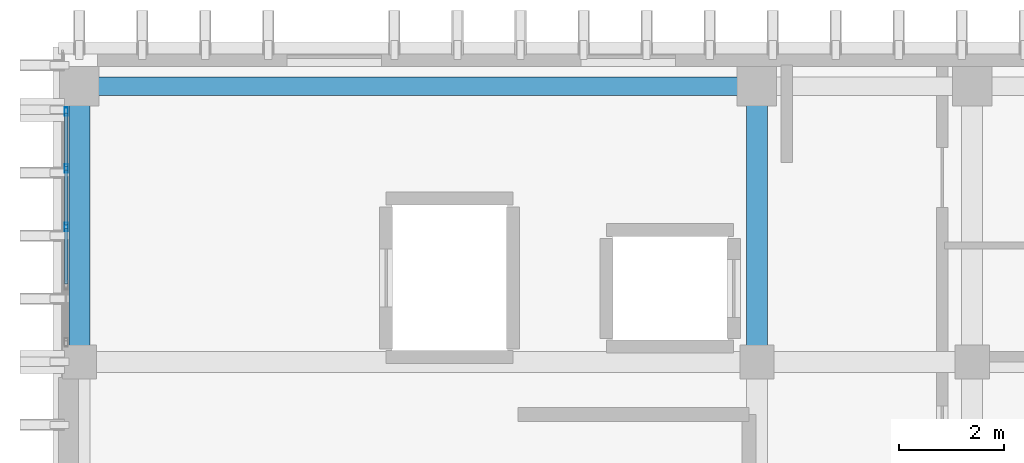
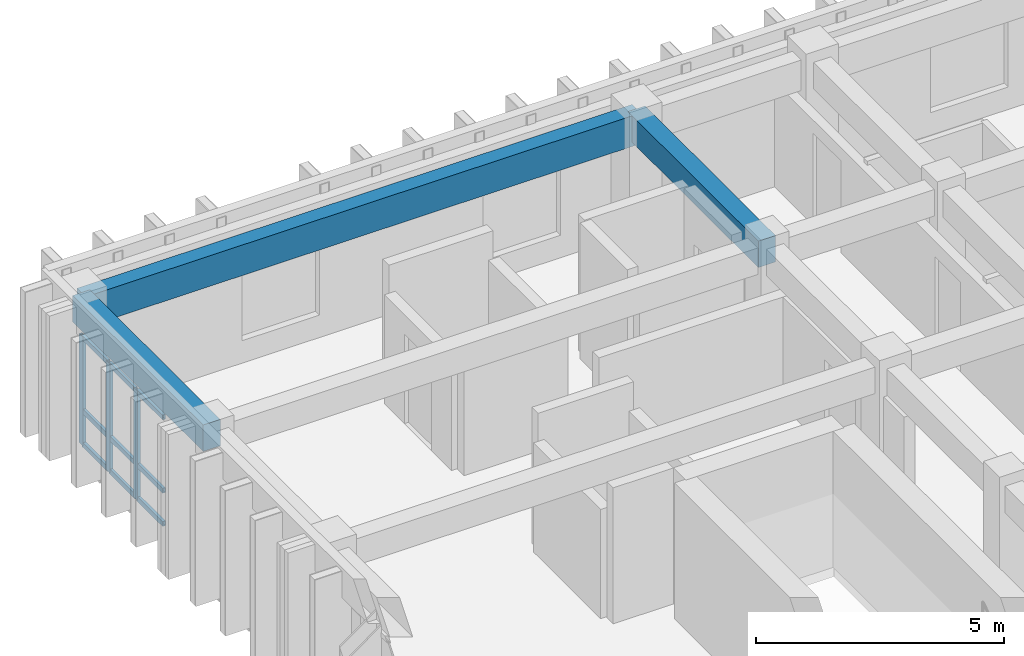
# One storey, part 44 of 64: 12 members, 3 beams, 1 element without a shape of its own.
"""IFC4 building model written with IfcOpenShell, lengths in metres."""

import ifcopenshell
import ifcopenshell.guid

model = None  # the IFC model being written
_history = None  # IfcOwnerHistory: only IFC2X3 demands one
_inside = {}  # id of a spatial element -> (the spatial element, [elements in it])
_under = {}  # id of a project, library or spatial element -> (it, [spatial elements below it])
_declared = {}  # id of a project -> (the project, [libraries it declares])
_typed = {}  # id of a type object -> (the type object, [elements of that type])
_made_of = {}  # id of a material, layer set ... -> (it, [elements and type objects made of it])


def new_model(schema):
    """Start an empty IFC model of exactly this schema.

    Asked for "IFC4X3", IfcOpenShell would pick the latest addendum, in which some entities
    have other attributes; the version numbers below select the first issue.
    IFC2X3 requires an IfcOwnerHistory on every rooted entity: one is made here for all.
    """
    global model, _history
    if schema == "IFC4X3":
        model = ifcopenshell.file(schema_version=(4, 3, 0, 0))
    else:
        model = ifcopenshell.file(schema=schema)
    _inside.clear()
    _under.clear()
    _declared.clear()
    _typed.clear()
    _made_of.clear()
    _history = None
    if model.schema == "IFC2X3":
        org = make("IfcOrganization", Name="unknown")
        user = make(
            "IfcPersonAndOrganization",
            ThePerson=make("IfcPerson", FamilyName="unknown"),
            TheOrganization=org,
        )
        app = make(
            "IfcApplication",
            ApplicationDeveloper=org,
            Version="unknown",
            ApplicationFullName="unknown",
            ApplicationIdentifier="unknown",
        )
        _history = make(
            "IfcOwnerHistory",
            OwningUser=user,
            OwningApplication=app,
            ChangeAction="ADDED",
            CreationDate=0,
        )
    return model


def make(cls, **values):
    """One entity of the class cls with the attributes given. An attribute that is None is left unset."""
    return model.create_entity(
        cls, **{name: value for name, value in values.items() if value is not None}
    )


def rooted(cls, **values):
    """An entity with a GlobalId (a new one), such as an element, a storey or a relation."""
    return make(cls, GlobalId=ifcopenshell.guid.new(), OwnerHistory=_history, **values)


def si_unit(unit_type, name, prefix=None):
    """IfcSIUnit, for example si_unit("LENGTHUNIT", "METRE", prefix="MILLI")."""
    return make("IfcSIUnit", UnitType=unit_type, Prefix=prefix, Name=name)


def assignment(units):
    """IfcUnitAssignment: the units of a project."""
    return None if units is None else make("IfcUnitAssignment", Units=units)


def point(xyz):
    """IfcCartesianPoint."""
    return None if xyz is None else make("IfcCartesianPoint", Coordinates=xyz)


def direction(xyz):
    """IfcDirection."""
    return None if xyz is None else make("IfcDirection", DirectionRatios=xyz)


def frame(location, z_axis=None, x_axis=None):
    """IfcAxis2Placement3D, a coordinate frame: its origin and axes. An axis left out is left unset."""
    return make(
        "IfcAxis2Placement3D",
        Location=point(location),
        Axis=direction(z_axis),
        RefDirection=direction(x_axis),
    )


def frame_2d(location, x_axis=None):
    """IfcAxis2Placement2D, a coordinate frame in the plane: its origin and x axis."""
    return make(
        "IfcAxis2Placement2D", Location=point(location), RefDirection=direction(x_axis)
    )


def origin():
    """The frame at (0, 0, 0) with its axes left unset."""
    return frame((0.0, 0.0, 0.0))


def origin_2d():
    """The frame at (0, 0) in the plane with its x axis left unset."""
    return frame_2d((0.0, 0.0))


def place(relative_to, where):
    """IfcLocalPlacement: puts the frame where relative to a parent placement (None: the world)."""
    return make(
        "IfcLocalPlacement", PlacementRelTo=relative_to, RelativePlacement=where
    )


def context(
    kind, dimensions, precision=None, world=None, true_north=None, identifier=None
):
    """IfcGeometricRepresentationContext, for example the 3D "Model" context."""
    return make(
        "IfcGeometricRepresentationContext",
        ContextIdentifier=identifier,
        ContextType=kind,
        CoordinateSpaceDimension=dimensions,
        Precision=precision,
        WorldCoordinateSystem=world,
        TrueNorth=true_north,
    )


def subcontext(parent, identifier, kind, view, scale=None):
    """IfcGeometricRepresentationSubContext, for example "Body" below "Model"."""
    return make(
        "IfcGeometricRepresentationSubContext",
        ContextIdentifier=identifier,
        ContextType=kind,
        ParentContext=parent,
        TargetScale=scale,
        TargetView=view,
    )


def project(units=None, contexts=None):
    """IfcProject with its units and contexts."""
    return rooted(
        "IfcProject",
        Name="project",
        RepresentationContexts=contexts,
        UnitsInContext=assignment(units),
    )


def spatial(cls, under=None, at=None, **own):
    """A site, building, storey or space (cls), placed at a placement, below another one or the project."""
    s = rooted(cls, ObjectPlacement=at, **own)
    if under is not None:
        _under.setdefault(under.id(), (under, []))[1].append(s)
    return s


def profile(cls, at=None, kind="AREA", **sizes):
    """A parametric profile (cls). Its sizes go by their IFC names, for example OverallWidth=200.0."""
    return make(cls, ProfileType=kind, Position=at, **sizes)


def rectangle(**sizes):
    """IfcRectangleProfileDef."""
    return profile("IfcRectangleProfileDef", **sizes)


def hollow_rectangle(**sizes):
    """IfcRectangleHollowProfileDef."""
    return profile("IfcRectangleHollowProfileDef", **sizes)


def extrude(swept, where, along, depth):
    """IfcExtrudedAreaSolid: the profile swept, set in the frame where, extruded along a direction by depth."""
    return make(
        "IfcExtrudedAreaSolid",
        SweptArea=swept,
        Position=where,
        ExtrudedDirection=direction(along),
        Depth=depth,
    )


def shape(context_of_items, identifier, shape_type, items):
    """IfcShapeRepresentation: the items that make up one representation, for example the "Body"."""
    return make(
        "IfcShapeRepresentation",
        ContextOfItems=context_of_items,
        RepresentationIdentifier=identifier,
        RepresentationType=shape_type,
        Items=items,
    )


def material(Name=None, Category=None):
    """IfcMaterial."""
    return make("IfcMaterial", Name=Name, Category=Category)


def layer(
    of_material, thickness, ventilated=None, Name=None, Category=None, Priority=None
):
    """IfcMaterialLayer: one layer of a wall or slab, of a material (None: an air gap)."""
    return make(
        "IfcMaterialLayer",
        Material=of_material,
        LayerThickness=thickness,
        IsVentilated=ventilated,
        Name=Name,
        Category=Category,
        Priority=Priority,
    )


def layer_set(layers, Name=None):
    """IfcMaterialLayerSet."""
    return make("IfcMaterialLayerSet", MaterialLayers=layers, LayerSetName=Name)


def material_profile(
    of_material, cross_section, Name=None, Category=None, Priority=None
):
    """IfcMaterialProfile: a cross section and its material."""
    return make(
        "IfcMaterialProfile",
        Name=Name,
        Material=of_material,
        Profile=cross_section,
        Priority=Priority,
        Category=Category,
    )


def profile_set(profiles, Name=None, composite=None):
    """IfcMaterialProfileSet."""
    return make(
        "IfcMaterialProfileSet",
        Name=Name,
        MaterialProfiles=profiles,
        CompositeProfile=composite,
    )


def made_of(thing, what):
    """Note that an element or type object is made of a material, layer set ...; save() writes the relation."""
    if what is not None:
        _made_of.setdefault(what.id(), (what, []))[1].append(thing)
    return thing


def type_object(cls, material=None, **own):
    """A type object (cls), such as IfcWallType, which elements share."""
    return made_of(rooted(cls, **own), material)


def element(
    cls,
    number,
    at=None,
    inside=None,
    cuts=None,
    type_object=None,
    material=None,
    context=None,
    identifier="Body",
    shape_type=None,
    held_by="IfcProductDefinitionShape",
    body=None,
    shapes=None,
    **own,
):
    """One element of the class cls, such as IfcWall. Its Tag is "e" and its number.

    at: its placement. inside: the storey or other place that contains it. cuts: it is an
    opening in that element (IfcRelVoidsElement). A single representation is given by context,
    identifier, shape_type and body (its items); several are given by shapes. held_by: the class
    of the entity that holds the representations. save() writes the other relations.
    """
    e = rooted(cls, Tag="e%d" % number, ObjectPlacement=at, **own)
    if body is not None:
        shapes = [shape(context, identifier, shape_type, body)]
    if shapes is not None:
        e.Representation = make(held_by, Representations=shapes)
    if inside is not None:
        _inside.setdefault(inside.id(), (inside, []))[1].append(e)
    if cuts is not None:
        rooted(
            "IfcRelVoidsElement", RelatingBuildingElement=cuts, RelatedOpeningElement=e
        )
    if type_object is not None:
        _typed.setdefault(type_object.id(), (type_object, []))[1].append(e)
    return made_of(e, material)


def aggregate(whole, parts):
    """IfcRelAggregates: a whole, such as a stair, and the parts it consists of."""
    return rooted("IfcRelAggregates", RelatingObject=whole, RelatedObjects=parts)


def save(model, path):
    """Write the relations noted so far, then the file.

    IfcRelAggregates (storeys below a building ...), IfcRelContainedInSpatialStructure (elements
    in a storey), IfcRelDefinesByType, IfcRelAssociatesMaterial and IfcRelDeclares: one each for
    every whole, place, type object, material and project.
    """
    for whole, parts in _under.values():
        aggregate(whole, parts)
    for where, things in _inside.values():
        rooted(
            "IfcRelContainedInSpatialStructure",
            RelatedElements=things,
            RelatingStructure=where,
        )
    for kind, things in _typed.values():
        rooted("IfcRelDefinesByType", RelatedObjects=things, RelatingType=kind)
    for what, things in _made_of.values():
        rooted("IfcRelAssociatesMaterial", RelatedObjects=things, RelatingMaterial=what)
    for by, libraries in _declared.values():
        rooted("IfcRelDeclares", RelatingContext=by, RelatedDefinitions=libraries)
    model.write(path)


model = new_model("IFC4")

# Units and contexts
model_context = context("Model", 3, precision=1e-05, world=origin(), true_north=direction((0.0, 1.0)))
body_context = subcontext(model_context, "Body", "Model", "MODEL_VIEW")
ifc_project = project(units=[si_unit("LENGTHUNIT", "METRE"), si_unit("AREAUNIT", "SQUARE_METRE"), si_unit("VOLUMEUNIT", "CUBIC_METRE"), si_unit("PLANEANGLEUNIT", "RADIAN"), si_unit("MASSUNIT", "GRAM", prefix="KILO")], contexts=[model_context])

# Site, building, storey
site_placement = place(None, origin())
site = spatial("IfcSite", under=ifc_project, at=site_placement, CompositionType="ELEMENT")
building_placement = place(site_placement, origin())
building = spatial("IfcBuilding", under=site, at=building_placement, Name="Nakhvara Creek Congress Hotel", CompositionType="ELEMENT")
storey_placement = place(building_placement, frame((0.0, 0.0, 28.199951171875)))
storey = spatial("IfcBuildingStorey", under=building, at=storey_placement, Name="L06", CompositionType="ELEMENT", Elevation=28.199951171875)

# Beams
ifc_material_1 = material(Name="Concrete C40/50", Category="concrete")
ifc_material_profile_1 = material_profile(ifc_material_1, rectangle(XDim=0.39990234375, YDim=0.64990234375, at=origin_2d()), Name="RC-BM 400x650", Category="LoadBearing")
ifc_profile_set_1 = profile_set([ifc_material_profile_1], Name="Concrete C40/50")
beam_type_1 = type_object("IfcBeamType", Name="BM-RC-400X650", PredefinedType="BEAM", material=ifc_profile_set_1)
for number, where, z_axis, x_axis, name in (
    (1, (149.449951171875, 120.0, 3.01513671875), (0.0, 1.0, 0.0), (-1.0, 0.0, 0.0), "Beam B06-L06-2218"),
    (2, (162.35009765625, 120.0, 3.01513671875), (0.0, 1.0, 0.0), (-1.0, 0.0, 0.0), "Beam B06-L06-2246"),
):
    element("IfcBeam", number, at=place(storey_placement, frame(where, z_axis=z_axis, x_axis=x_axis)), inside=storey, type_object=beam_type_1, Name=name, PredefinedType="BEAM", context=body_context, shape_type="SweptSolid", body=[
        extrude(rectangle(XDim=0.39990234375, YDim=0.64990234375, at=origin_2d()), origin(), (0.0, 0.0, 1.0), 5.25),
    ])
ifc_material_profile_2 = material_profile(ifc_material_1, rectangle(XDim=0.35009765625, YDim=0.75, at=origin_2d()), Name="RC-SPANDREL 350x750", Category="LoadBearing")
ifc_profile_set_2 = profile_set([ifc_material_profile_2], Name="Concrete C40/50")
beam_type_2 = type_object("IfcBeamType", Name="BM-SPN-350X750", PredefinedType="SPANDREL", material=ifc_profile_set_2)
beam_placement = place(storey_placement, frame((149.449951171875, 125.25, 2.965087890625), z_axis=(1.0, 0.0, 0.0), x_axis=(0.0, 1.0, 0.0)))
element("IfcBeam", 3, at=beam_placement, inside=storey, type_object=beam_type_2, Name="Beam SP1-L06-2217", PredefinedType="SPANDREL", context=body_context, shape_type="SweptSolid", body=[
    extrude(rectangle(XDim=0.35009765625, YDim=0.75, at=origin_2d()), origin(), (0.0, 0.0, 1.0), 12.900146484375),
])

# Curtain wall, members
ifc_material_2 = material(Name="Bronze-anodised aluminium AW-6063-T6 and double-silver low-E glass", Category="aluminium")
ifc_layer = layer(ifc_material_2, 0.199951171875)
ifc_layer_set = layer_set([ifc_layer], Name="Bronze-anodised aluminium AW-6063-T6 and double-silver low-E glass")
curtain_wall_type = type_object("IfcCurtainWallType", Name="CW-HTL-UNIT", PredefinedType="USERDEFINED", material=ifc_layer_set)
curtain_wall_placement = place(storey_placement, origin())
curtain_wall = element("IfcCurtainWall", 4, at=curtain_wall_placement, inside=storey, type_object=curtain_wall_type, Name="Curtain Wall CW252", ObjectType="UNITISED", PredefinedType="USERDEFINED")
ifc_material_3 = material(Name="Bronze-anodised aluminium AW-6063-T6", Category="aluminium")
ifc_material_profile_3 = material_profile(ifc_material_3, hollow_rectangle(XDim=0.06494140625, YDim=0.159912109375, WallThickness=0.00390625, at=origin_2d()), Name="ALU-MULL 65x160x4", Category="LoadBearing")
ifc_profile_set_3 = profile_set([ifc_material_profile_3], Name="Bronze-anodised aluminium AW-6063-T6")
member_type_1 = type_object("IfcMemberType", Name="CW-MULL-160", PredefinedType="MULLION", material=ifc_profile_set_3)
member_1_placement = place(storey_placement, frame((149.199951171875, 122.570068359375, 0.0), z_axis=(0.0, 0.0, 1.0), x_axis=(-1.0, 0.0, 0.0)))
member_1 = element("IfcMember", 5, at=member_1_placement, type_object=member_type_1, Name="CW252 mullion 3", PredefinedType="MULLION", context=body_context, shape_type="SweptSolid", body=[
    extrude(hollow_rectangle(XDim=0.06494140625, YDim=0.159912109375, WallThickness=0.00390625, at=origin_2d()), origin(), (0.0, 0.0, 1.0), 2.68212890625),
])
member_2_placement = place(storey_placement, frame((149.199951171875, 123.68505859375, 0.0), z_axis=(0.0, 0.0, 1.0), x_axis=(-1.0, 0.0, 0.0)))
member_2 = element("IfcMember", 6, at=member_2_placement, type_object=member_type_1, Name="CW252 mullion 4", PredefinedType="MULLION", context=body_context, shape_type="SweptSolid", body=[
    extrude(hollow_rectangle(XDim=0.06494140625, YDim=0.159912109375, WallThickness=0.00390625, at=origin_2d()), origin(), (0.0, 0.0, 1.0), 2.68212890625),
])
member_3_placement = place(storey_placement, frame((149.199951171875, 124.767578125, 0.0), z_axis=(0.0, 0.0, 1.0), x_axis=(-1.0, 0.0, 0.0)))
member_3 = element("IfcMember", 7, at=member_3_placement, type_object=member_type_1, Name="CW252 mullion 5", PredefinedType="MULLION", context=body_context, shape_type="SweptSolid", body=[
    extrude(hollow_rectangle(XDim=0.06494140625, YDim=0.159912109375, WallThickness=0.00390625, at=origin_2d()), origin(), (0.0, 0.0, 1.0), 2.68212890625),
])
ifc_material_profile_4 = material_profile(ifc_material_3, hollow_rectangle(XDim=0.06494140625, YDim=0.1201171875, WallThickness=0.00390625, at=origin_2d()), Name="ALU-TRAN 65x120x4", Category="LoadBearing")
ifc_profile_set_4 = profile_set([ifc_material_profile_4], Name="Bronze-anodised aluminium AW-6063-T6")
member_type_2 = type_object("IfcMemberType", Name="CW-TRAN-120", PredefinedType="USERDEFINED", material=ifc_profile_set_4)
member_4_placement = place(storey_placement, frame((149.199951171875, 121.487548828125, 0.032470703125), z_axis=(0.0, 1.0, 0.0), x_axis=(-1.0, 0.0, 0.0)))
member_4 = element("IfcMember", 8, at=member_4_placement, type_object=member_type_2, Name="CW252 transom 2.1", ObjectType="TRANSOM", PredefinedType="USERDEFINED", context=body_context, shape_type="SweptSolid", body=[
    extrude(hollow_rectangle(XDim=0.06494140625, YDim=0.1201171875, WallThickness=0.00390625, at=origin_2d()), origin(), (0.0, 0.0, 1.0), 1.050048828125),
])
member_5_placement = place(storey_placement, frame((149.199951171875, 121.487548828125, 0.85009765625), z_axis=(0.0, 1.0, 0.0), x_axis=(-1.0, 0.0, 0.0)))
member_5 = element("IfcMember", 9, at=member_5_placement, type_object=member_type_2, Name="CW252 transom 2.2", ObjectType="TRANSOM", PredefinedType="USERDEFINED", context=body_context, shape_type="SweptSolid", body=[
    extrude(hollow_rectangle(XDim=0.06494140625, YDim=0.1201171875, WallThickness=0.00390625, at=origin_2d()), origin(), (0.0, 0.0, 1.0), 1.050048828125),
])
member_6_placement = place(storey_placement, frame((149.199951171875, 121.487548828125, 2.649658203125), z_axis=(0.0, 1.0, 0.0), x_axis=(-1.0, 0.0, 0.0)))
member_6 = element("IfcMember", 10, at=member_6_placement, type_object=member_type_2, Name="CW252 transom 2.3", ObjectType="TRANSOM", PredefinedType="USERDEFINED", context=body_context, shape_type="SweptSolid", body=[
    extrude(hollow_rectangle(XDim=0.06494140625, YDim=0.1201171875, WallThickness=0.00390625, at=origin_2d()), origin(), (0.0, 0.0, 1.0), 1.050048828125),
])
member_7_placement = place(storey_placement, frame((149.199951171875, 122.6025390625, 0.032470703125), z_axis=(0.0, 1.0, 0.0), x_axis=(-1.0, 0.0, 0.0)))
member_7 = element("IfcMember", 11, at=member_7_placement, type_object=member_type_2, Name="CW252 transom 3.1", ObjectType="TRANSOM", PredefinedType="USERDEFINED", context=body_context, shape_type="SweptSolid", body=[
    extrude(hollow_rectangle(XDim=0.06494140625, YDim=0.1201171875, WallThickness=0.00390625, at=origin_2d()), origin(), (0.0, 0.0, 1.0), 1.050048828125),
])
member_8_placement = place(storey_placement, frame((149.199951171875, 122.6025390625, 0.85009765625), z_axis=(0.0, 1.0, 0.0), x_axis=(-1.0, 0.0, 0.0)))
member_8 = element("IfcMember", 12, at=member_8_placement, type_object=member_type_2, Name="CW252 transom 3.2", ObjectType="TRANSOM", PredefinedType="USERDEFINED", context=body_context, shape_type="SweptSolid", body=[
    extrude(hollow_rectangle(XDim=0.06494140625, YDim=0.1201171875, WallThickness=0.00390625, at=origin_2d()), origin(), (0.0, 0.0, 1.0), 1.050048828125),
])
member_9_placement = place(storey_placement, frame((149.199951171875, 122.6025390625, 2.649658203125), z_axis=(0.0, 1.0, 0.0), x_axis=(-1.0, 0.0, 0.0)))
member_9 = element("IfcMember", 13, at=member_9_placement, type_object=member_type_2, Name="CW252 transom 3.3", ObjectType="TRANSOM", PredefinedType="USERDEFINED", context=body_context, shape_type="SweptSolid", body=[
    extrude(hollow_rectangle(XDim=0.06494140625, YDim=0.1201171875, WallThickness=0.00390625, at=origin_2d()), origin(), (0.0, 0.0, 1.0), 1.050048828125),
])
member_10_placement = place(storey_placement, frame((149.199951171875, 123.717529296875, 0.032470703125), z_axis=(0.0, 1.0, 0.0), x_axis=(-1.0, 0.0, 0.0)))
member_10 = element("IfcMember", 14, at=member_10_placement, type_object=member_type_2, Name="CW252 transom 4.1", ObjectType="TRANSOM", PredefinedType="USERDEFINED", context=body_context, shape_type="SweptSolid", body=[
    extrude(hollow_rectangle(XDim=0.06494140625, YDim=0.1201171875, WallThickness=0.00390625, at=origin_2d()), origin(), (0.0, 0.0, 1.0), 1.017578125),
])
member_11_placement = place(storey_placement, frame((149.199951171875, 123.717529296875, 0.85009765625), z_axis=(0.0, 1.0, 0.0), x_axis=(-1.0, 0.0, 0.0)))
member_11 = element("IfcMember", 15, at=member_11_placement, type_object=member_type_2, Name="CW252 transom 4.2", ObjectType="TRANSOM", PredefinedType="USERDEFINED", context=body_context, shape_type="SweptSolid", body=[
    extrude(hollow_rectangle(XDim=0.06494140625, YDim=0.1201171875, WallThickness=0.00390625, at=origin_2d()), origin(), (0.0, 0.0, 1.0), 1.017578125),
])
member_12_placement = place(storey_placement, frame((149.199951171875, 123.717529296875, 2.649658203125), z_axis=(0.0, 1.0, 0.0), x_axis=(-1.0, 0.0, 0.0)))
member_12 = element("IfcMember", 16, at=member_12_placement, type_object=member_type_2, Name="CW252 transom 4.3", ObjectType="TRANSOM", PredefinedType="USERDEFINED", context=body_context, shape_type="SweptSolid", body=[
    extrude(hollow_rectangle(XDim=0.06494140625, YDim=0.1201171875, WallThickness=0.00390625, at=origin_2d()), origin(), (0.0, 0.0, 1.0), 1.017578125),
])
aggregate(curtain_wall, [member_1, member_2, member_3, member_4, member_5, member_6, member_7, member_8, member_9, member_10, member_11, member_12])

save(model, "model.ifc")
